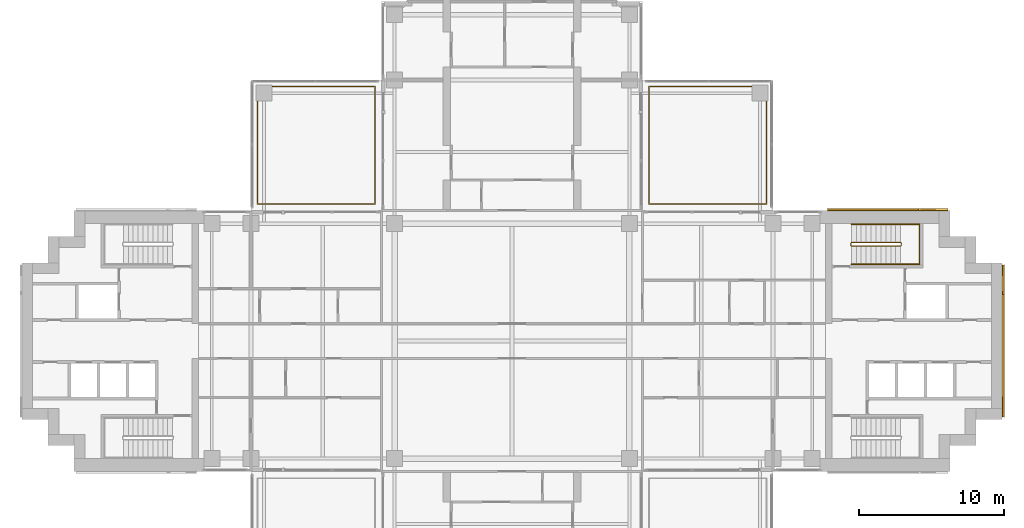
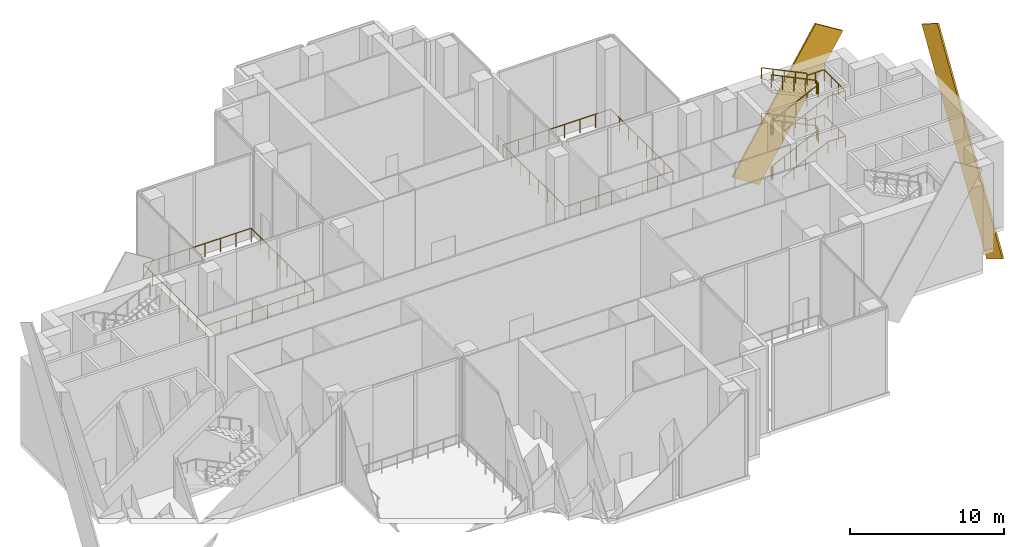
# One storey, part 17 of 17: 5 railings, 2 coverings.
"""IFC4 building model written with IfcOpenShell, lengths in metres."""

from ifc_helpers import new_model, si_unit, direction, frame, origin, origin_2d, place, context, subcontext, project, spatial, rectangle, extrude, material, material_profile, profile_set, type_object, element, save


model = new_model("IFC4")

# Units and contexts
model_context = context("Model", 3, precision=1e-05, world=origin(), true_north=direction((0.0, 1.0)))
body_context = subcontext(model_context, "Body", "Model", "MODEL_VIEW")
ifc_project = project(units=[si_unit("LENGTHUNIT", "METRE"), si_unit("AREAUNIT", "SQUARE_METRE"), si_unit("VOLUMEUNIT", "CUBIC_METRE"), si_unit("PLANEANGLEUNIT", "RADIAN"), si_unit("MASSUNIT", "GRAM", prefix="KILO")], contexts=[model_context])

# Site, building, storey
site_placement = place(None, origin())
site = spatial("IfcSite", under=ifc_project, at=site_placement, CompositionType="ELEMENT")
building_placement = place(site_placement, origin())
building = spatial("IfcBuilding", under=site, at=building_placement, Name="Perihelion Cross Residences", CompositionType="ELEMENT")
storey_placement = place(building_placement, frame((0.0, 0.0, 154.89990234375)))
storey = spatial("IfcBuildingStorey", under=building, at=storey_placement, Name="L38", CompositionType="ELEMENT", Elevation=154.89990234375)

# Railings
ifc_material_1 = material(Name="Bronze anodised aluminium", Category="aluminium")
railing_type_1 = type_object("IfcRailingType", Name="Balcony guard 1100", PredefinedType="GUARDRAIL", material=ifc_material_1)
railing_1_placement = place(storey_placement, frame((17.550048828125, 9.449951171875, 0.0)))
element("IfcRailing", 1, at=railing_1_placement, inside=storey, type_object=railing_type_1, Name="Guard GU1 L38 pocket north-east 1", PredefinedType="GUARDRAIL", context=body_context, shape_type="SweptSolid", body=[
    extrude(rectangle(XDim=0.048095703125, YDim=0.048095703125, at=origin_2d()), frame((0.0, 0.0, 1.076171875), z_axis=(-1.0, 0.0, 0.0), x_axis=(0.0, -1.0, 0.0)), (0.0, 0.0, 1.0), 8.10009765625),
    extrude(rectangle(XDim=0.048095703125, YDim=0.048095703125, at=origin_2d()), frame((-8.10009765625, 0.0, 1.076171875), z_axis=(0.0, 1.0, 0.0), x_axis=(-1.0, 0.0, 0.0)), (0.0, 0.0, 1.0), 8.10009765625),
    extrude(rectangle(XDim=0.048095703125, YDim=0.048095703125, at=origin_2d()), frame((-8.10009765625, 8.10009765625, 1.076171875), z_axis=(1.0, 0.0, 0.0), x_axis=(0.0, 1.0, 0.0)), (0.0, 0.0, 1.0), 8.10009765625),
    extrude(rectangle(XDim=0.048095703125, YDim=0.048095703125, at=origin_2d()), frame((0.0, 8.10009765625, 1.076171875), z_axis=(0.0, -1.0, 0.0), x_axis=(1.0, 0.0, 0.0)), (0.0, 0.0, 1.0), 8.10009765625),
    extrude(rectangle(XDim=0.0419921875, YDim=0.0419921875, at=origin_2d()), origin(), (0.0, 0.0, 1.0), 1.052001953125),
    extrude(rectangle(XDim=0.0419921875, YDim=0.0419921875, at=origin_2d()), frame((-1.1572265625, 0.0, 0.0)), (0.0, 0.0, 1.0), 1.052001953125),
    extrude(rectangle(XDim=0.0419921875, YDim=0.0419921875, at=origin_2d()), frame((-2.314208984375, 0.0, 0.0)), (0.0, 0.0, 1.0), 1.052001953125),
    extrude(rectangle(XDim=0.0419921875, YDim=0.0419921875, at=origin_2d()), frame((-3.471435546875, 0.0, 0.0)), (0.0, 0.0, 1.0), 1.052001953125),
    extrude(rectangle(XDim=0.0419921875, YDim=0.0419921875, at=origin_2d()), frame((-4.628662109375, 0.0, 0.0)), (0.0, 0.0, 1.0), 1.052001953125),
    extrude(rectangle(XDim=0.0419921875, YDim=0.0419921875, at=origin_2d()), frame((-5.785888671875, 0.0, 0.0)), (0.0, 0.0, 1.0), 1.052001953125),
    extrude(rectangle(XDim=0.0419921875, YDim=0.0419921875, at=origin_2d()), frame((-6.94287109375, 0.0, 0.0)), (0.0, 0.0, 1.0), 1.052001953125),
    extrude(rectangle(XDim=0.0419921875, YDim=0.0419921875, at=origin_2d()), frame((-8.10009765625, 0.0, 0.0)), (0.0, 0.0, 1.0), 1.052001953125),
    extrude(rectangle(XDim=0.0419921875, YDim=0.0419921875, at=origin_2d()), frame((-8.10009765625, 1.1572265625, 0.0)), (0.0, 0.0, 1.0), 1.052001953125),
    extrude(rectangle(XDim=0.0419921875, YDim=0.0419921875, at=origin_2d()), frame((-8.10009765625, 2.314208984375, 0.0)), (0.0, 0.0, 1.0), 1.052001953125),
    extrude(rectangle(XDim=0.0419921875, YDim=0.0419921875, at=origin_2d()), frame((-8.10009765625, 3.471435546875, 0.0)), (0.0, 0.0, 1.0), 1.052001953125),
    extrude(rectangle(XDim=0.0419921875, YDim=0.0419921875, at=origin_2d()), frame((-8.10009765625, 4.628662109375, 0.0)), (0.0, 0.0, 1.0), 1.052001953125),
    extrude(rectangle(XDim=0.0419921875, YDim=0.0419921875, at=origin_2d()), frame((-8.10009765625, 5.785888671875, 0.0)), (0.0, 0.0, 1.0), 1.052001953125),
    extrude(rectangle(XDim=0.0419921875, YDim=0.0419921875, at=origin_2d()), frame((-8.10009765625, 6.94287109375, 0.0)), (0.0, 0.0, 1.0), 1.052001953125),
    extrude(rectangle(XDim=0.0419921875, YDim=0.0419921875, at=origin_2d()), frame((-8.10009765625, 8.10009765625, 0.0)), (0.0, 0.0, 1.0), 1.052001953125),
    extrude(rectangle(XDim=0.0419921875, YDim=0.0419921875, at=origin_2d()), frame((-6.94287109375, 8.10009765625, 0.0)), (0.0, 0.0, 1.0), 1.052001953125),
    extrude(rectangle(XDim=0.0419921875, YDim=0.0419921875, at=origin_2d()), frame((-5.785888671875, 8.10009765625, 0.0)), (0.0, 0.0, 1.0), 1.052001953125),
    extrude(rectangle(XDim=0.0419921875, YDim=0.0419921875, at=origin_2d()), frame((-4.628662109375, 8.10009765625, 0.0)), (0.0, 0.0, 1.0), 1.052001953125),
    extrude(rectangle(XDim=0.0419921875, YDim=0.0419921875, at=origin_2d()), frame((-3.471435546875, 8.10009765625, 0.0)), (0.0, 0.0, 1.0), 1.052001953125),
    extrude(rectangle(XDim=0.0419921875, YDim=0.0419921875, at=origin_2d()), frame((-2.314208984375, 8.10009765625, 0.0)), (0.0, 0.0, 1.0), 1.052001953125),
    extrude(rectangle(XDim=0.0419921875, YDim=0.0419921875, at=origin_2d()), frame((-1.1572265625, 8.10009765625, 0.0)), (0.0, 0.0, 1.0), 1.052001953125),
    extrude(rectangle(XDim=0.0419921875, YDim=0.0419921875, at=origin_2d()), frame((0.0, 8.10009765625, 0.0)), (0.0, 0.0, 1.0), 1.052001953125),
    extrude(rectangle(XDim=0.0419921875, YDim=0.0419921875, at=origin_2d()), frame((0.0, 6.94287109375, 0.0)), (0.0, 0.0, 1.0), 1.052001953125),
    extrude(rectangle(XDim=0.0419921875, YDim=0.0419921875, at=origin_2d()), frame((0.0, 5.785888671875, 0.0)), (0.0, 0.0, 1.0), 1.052001953125),
    extrude(rectangle(XDim=0.0419921875, YDim=0.0419921875, at=origin_2d()), frame((0.0, 4.628662109375, 0.0)), (0.0, 0.0, 1.0), 1.052001953125),
    extrude(rectangle(XDim=0.0419921875, YDim=0.0419921875, at=origin_2d()), frame((0.0, 3.471435546875, 0.0)), (0.0, 0.0, 1.0), 1.052001953125),
    extrude(rectangle(XDim=0.0419921875, YDim=0.0419921875, at=origin_2d()), frame((0.0, 2.314208984375, 0.0)), (0.0, 0.0, 1.0), 1.052001953125),
    extrude(rectangle(XDim=0.0419921875, YDim=0.0419921875, at=origin_2d()), frame((0.0, 1.1572265625, 0.0)), (0.0, 0.0, 1.0), 1.052001953125),
])
railing_2_placement = place(storey_placement, frame((-9.449951171875, 9.449951171875, 0.0)))
element("IfcRailing", 2, at=railing_2_placement, inside=storey, type_object=railing_type_1, Name="Guard GU1 L38 pocket north-west 1", PredefinedType="GUARDRAIL", context=body_context, shape_type="SweptSolid", body=[
    extrude(rectangle(XDim=0.048095703125, YDim=0.048095703125, at=origin_2d()), frame((0.0, 0.0, 1.076171875), z_axis=(-1.0, 0.0, 0.0), x_axis=(0.0, -1.0, 0.0)), (0.0, 0.0, 1.0), 8.10009765625),
    extrude(rectangle(XDim=0.048095703125, YDim=0.048095703125, at=origin_2d()), frame((-8.10009765625, 0.0, 1.076171875), z_axis=(0.0, 1.0, 0.0), x_axis=(-1.0, 0.0, 0.0)), (0.0, 0.0, 1.0), 8.10009765625),
    extrude(rectangle(XDim=0.048095703125, YDim=0.048095703125, at=origin_2d()), frame((-8.10009765625, 8.10009765625, 1.076171875), z_axis=(1.0, 0.0, 0.0), x_axis=(0.0, 1.0, 0.0)), (0.0, 0.0, 1.0), 8.10009765625),
    extrude(rectangle(XDim=0.048095703125, YDim=0.048095703125, at=origin_2d()), frame((0.0, 8.10009765625, 1.076171875), z_axis=(0.0, -1.0, 0.0), x_axis=(1.0, 0.0, 0.0)), (0.0, 0.0, 1.0), 8.10009765625),
    extrude(rectangle(XDim=0.0419921875, YDim=0.0419921875, at=origin_2d()), origin(), (0.0, 0.0, 1.0), 1.052001953125),
    extrude(rectangle(XDim=0.0419921875, YDim=0.0419921875, at=origin_2d()), frame((-1.1572265625, 0.0, 0.0)), (0.0, 0.0, 1.0), 1.052001953125),
    extrude(rectangle(XDim=0.0419921875, YDim=0.0419921875, at=origin_2d()), frame((-2.314208984375, 0.0, 0.0)), (0.0, 0.0, 1.0), 1.052001953125),
    extrude(rectangle(XDim=0.0419921875, YDim=0.0419921875, at=origin_2d()), frame((-3.471435546875, 0.0, 0.0)), (0.0, 0.0, 1.0), 1.052001953125),
    extrude(rectangle(XDim=0.0419921875, YDim=0.0419921875, at=origin_2d()), frame((-4.628662109375, 0.0, 0.0)), (0.0, 0.0, 1.0), 1.052001953125),
    extrude(rectangle(XDim=0.0419921875, YDim=0.0419921875, at=origin_2d()), frame((-5.785888671875, 0.0, 0.0)), (0.0, 0.0, 1.0), 1.052001953125),
    extrude(rectangle(XDim=0.0419921875, YDim=0.0419921875, at=origin_2d()), frame((-6.94287109375, 0.0, 0.0)), (0.0, 0.0, 1.0), 1.052001953125),
    extrude(rectangle(XDim=0.0419921875, YDim=0.0419921875, at=origin_2d()), frame((-8.10009765625, 0.0, 0.0)), (0.0, 0.0, 1.0), 1.052001953125),
    extrude(rectangle(XDim=0.0419921875, YDim=0.0419921875, at=origin_2d()), frame((-8.10009765625, 1.1572265625, 0.0)), (0.0, 0.0, 1.0), 1.052001953125),
    extrude(rectangle(XDim=0.0419921875, YDim=0.0419921875, at=origin_2d()), frame((-8.10009765625, 2.314208984375, 0.0)), (0.0, 0.0, 1.0), 1.052001953125),
    extrude(rectangle(XDim=0.0419921875, YDim=0.0419921875, at=origin_2d()), frame((-8.10009765625, 3.471435546875, 0.0)), (0.0, 0.0, 1.0), 1.052001953125),
    extrude(rectangle(XDim=0.0419921875, YDim=0.0419921875, at=origin_2d()), frame((-8.10009765625, 4.628662109375, 0.0)), (0.0, 0.0, 1.0), 1.052001953125),
    extrude(rectangle(XDim=0.0419921875, YDim=0.0419921875, at=origin_2d()), frame((-8.10009765625, 5.785888671875, 0.0)), (0.0, 0.0, 1.0), 1.052001953125),
    extrude(rectangle(XDim=0.0419921875, YDim=0.0419921875, at=origin_2d()), frame((-8.10009765625, 6.94287109375, 0.0)), (0.0, 0.0, 1.0), 1.052001953125),
    extrude(rectangle(XDim=0.0419921875, YDim=0.0419921875, at=origin_2d()), frame((-8.10009765625, 8.10009765625, 0.0)), (0.0, 0.0, 1.0), 1.052001953125),
    extrude(rectangle(XDim=0.0419921875, YDim=0.0419921875, at=origin_2d()), frame((-6.94287109375, 8.10009765625, 0.0)), (0.0, 0.0, 1.0), 1.052001953125),
    extrude(rectangle(XDim=0.0419921875, YDim=0.0419921875, at=origin_2d()), frame((-5.785888671875, 8.10009765625, 0.0)), (0.0, 0.0, 1.0), 1.052001953125),
    extrude(rectangle(XDim=0.0419921875, YDim=0.0419921875, at=origin_2d()), frame((-4.628662109375, 8.10009765625, 0.0)), (0.0, 0.0, 1.0), 1.052001953125),
    extrude(rectangle(XDim=0.0419921875, YDim=0.0419921875, at=origin_2d()), frame((-3.471435546875, 8.10009765625, 0.0)), (0.0, 0.0, 1.0), 1.052001953125),
    extrude(rectangle(XDim=0.0419921875, YDim=0.0419921875, at=origin_2d()), frame((-2.314208984375, 8.10009765625, 0.0)), (0.0, 0.0, 1.0), 1.052001953125),
    extrude(rectangle(XDim=0.0419921875, YDim=0.0419921875, at=origin_2d()), frame((-1.1572265625, 8.10009765625, 0.0)), (0.0, 0.0, 1.0), 1.052001953125),
    extrude(rectangle(XDim=0.0419921875, YDim=0.0419921875, at=origin_2d()), frame((0.0, 8.10009765625, 0.0)), (0.0, 0.0, 1.0), 1.052001953125),
    extrude(rectangle(XDim=0.0419921875, YDim=0.0419921875, at=origin_2d()), frame((0.0, 6.94287109375, 0.0)), (0.0, 0.0, 1.0), 1.052001953125),
    extrude(rectangle(XDim=0.0419921875, YDim=0.0419921875, at=origin_2d()), frame((0.0, 5.785888671875, 0.0)), (0.0, 0.0, 1.0), 1.052001953125),
    extrude(rectangle(XDim=0.0419921875, YDim=0.0419921875, at=origin_2d()), frame((0.0, 4.628662109375, 0.0)), (0.0, 0.0, 1.0), 1.052001953125),
    extrude(rectangle(XDim=0.0419921875, YDim=0.0419921875, at=origin_2d()), frame((0.0, 3.471435546875, 0.0)), (0.0, 0.0, 1.0), 1.052001953125),
    extrude(rectangle(XDim=0.0419921875, YDim=0.0419921875, at=origin_2d()), frame((0.0, 2.314208984375, 0.0)), (0.0, 0.0, 1.0), 1.052001953125),
    extrude(rectangle(XDim=0.0419921875, YDim=0.0419921875, at=origin_2d()), frame((0.0, 1.1572265625, 0.0)), (0.0, 0.0, 1.0), 1.052001953125),
])

# Coverings
ifc_material_2 = material(Name="Bronze anodised aluminium", Category="aluminium")
ifc_material_profile = material_profile(ifc_material_2, rectangle(XDim=0.125, YDim=2.39990234375, at=origin_2d()), Name="Bronze cladding band 2400")
ifc_profile_set = profile_set([ifc_material_profile], Name="Bronze anodised aluminium")
covering_type = type_object("IfcCoveringType", Name="Bronze cladding band 2400", PredefinedType="CLADDING", material=ifc_profile_set)
covering_1_placement = place(storey_placement, frame((22.767578125, 9.0625, -1.288818359375), z_axis=(0.529915403603, 0.0, 0.848050508534), x_axis=(0.0, 1.0, 0.0)))
element("IfcCovering", 3, at=covering_1_placement, inside=storey, type_object=covering_type, Name="Core cladding band, east core", PredefinedType="CLADDING", context=body_context, shape_type="SweptSolid", body=[
    extrude(rectangle(XDim=0.125, YDim=2.39990234375, at=origin_2d()), origin(), (0.0, 0.0, 1.0), 11.822021484375),
])
covering_2_placement = place(storey_placement, frame((33.862548828125, -4.232421875, -3.305419921875), z_axis=(0.0, 0.529924750763, 0.848044667767), x_axis=(-1.0, 0.0, 0.0)))
element("IfcCovering", 4, at=covering_2_placement, inside=storey, type_object=covering_type, Name="Core cladding band, east core", PredefinedType="CLADDING", context=body_context, shape_type="SweptSolid", body=[
    extrude(rectangle(XDim=0.125, YDim=2.39990234375, at=origin_2d()), origin(), (0.0, 0.0, 1.0), 15.9736328125),
])

# Railings
ifc_material_3 = material(Name="Stainless steel", Category="steel")
railing_type_2 = type_object("IfcRailingType", Name="Stair guard 1100", PredefinedType="GUARDRAIL", material=ifc_material_3)
railing_3_placement = place(storey_placement, frame((23.35009765625, 6.75, 0.0)))
element("IfcRailing", 5, at=railing_3_placement, inside=storey, type_object=railing_type_2, Name="L38 ST-E1 stair guard 1", PredefinedType="GUARDRAIL", context=body_context, shape_type="SweptSolid", body=[
    extrude(rectangle(XDim=0.048095703125, YDim=0.048095703125, at=origin_2d()), frame((0.0, 0.0, 1.076171875), z_axis=(0.0, -1.0, 0.0), x_axis=(1.0, 0.0, 0.0)), (0.0, 0.0, 1.0), 0.14990234375),
    extrude(rectangle(XDim=0.048095703125, YDim=0.048095703125, at=origin_2d()), frame((0.0, -0.14990234375, 1.076171875), z_axis=(0.279194930351, -0.280563532951, 0.91833234444), x_axis=(0.708833529934, 0.705375805398, 0.0)), (0.0, 0.0, 1.0), 0.178466796875),
    extrude(rectangle(XDim=0.048095703125, YDim=0.048095703125, at=origin_2d()), frame((0.0498046875, -0.199951171875, 1.23974609375), z_axis=(0.901092505359, 0.0, 0.433626909666), x_axis=(0.0, 1.0, 0.0)), (0.0, 0.0, 1.0), 3.7734375),
    extrude(rectangle(XDim=0.048095703125, YDim=0.048095703125, at=origin_2d()), frame((3.449951171875, -0.199951171875, 2.8759765625), z_axis=(0.707106781187, 0.707106781187, 0.0), x_axis=(-0.707106781187, 0.707106781187, 0.0)), (0.0, 0.0, 1.0), 0.07080078125),
    extrude(rectangle(XDim=0.048095703125, YDim=0.048095703125, at=origin_2d()), frame((3.5, -0.14990234375, 2.8759765625), z_axis=(0.0, 1.0, 0.0), x_axis=(-1.0, 0.0, 0.0)), (0.0, 0.0, 1.0), 0.14990234375),
    extrude(rectangle(XDim=0.048095703125, YDim=0.048095703125, at=origin_2d()), frame((3.5, 0.0, 2.8759765625), z_axis=(-0.280808744504, 0.280808744504, 0.917765164963), x_axis=(-0.707106781187, -0.707106781187, 0.0)), (0.0, 0.0, 1.0), 0.17822265625),
    extrude(rectangle(XDim=0.048095703125, YDim=0.048095703125, at=origin_2d()), frame((3.449951171875, 0.050048828125, 3.03955078125), z_axis=(-0.901067223353, 0.0, 0.433679442675), x_axis=(0.0, -1.0, 0.0)), (0.0, 0.0, 1.0), 3.7734375),
    extrude(rectangle(XDim=0.048095703125, YDim=0.048095703125, at=origin_2d()), frame((0.0498046875, 0.050048828125, 4.67626953125), z_axis=(-0.241699205484, -0.970351222016, 0.0), x_axis=(0.970351222016, -0.241699205484, 0.0)), (0.0, 0.0, 1.0), 0.2060546875),
    extrude(rectangle(XDim=0.048095703125, YDim=0.048095703125, at=origin_2d()), frame((0.0, -0.14990234375, 4.67626953125), z_axis=(0.0, 1.0, 0.0), x_axis=(-1.0, 0.0, 0.0)), (0.0, 0.0, 1.0), 0.14990234375),
    extrude(rectangle(XDim=0.048095703125, YDim=0.048095703125, at=origin_2d()), frame((0.0, 0.0, 4.67626953125), z_axis=(0.189305074214, -0.760004195007, 0.621737253547), x_axis=(0.970351222016, 0.241699205484, 0.0)), (0.0, 0.0, 1.0), 0.26318359375),
    extrude(rectangle(XDim=0.048095703125, YDim=0.048095703125, at=origin_2d()), frame((0.0498046875, -0.199951171875, 4.83984375), z_axis=(0.901067223353, 0.0, 0.433679442675), x_axis=(0.0, 1.0, 0.0)), (0.0, 0.0, 1.0), 3.7734375),
    extrude(rectangle(XDim=0.048095703125, YDim=0.048095703125, at=origin_2d()), frame((3.449951171875, -0.199951171875, 6.47607421875), z_axis=(0.707106781187, 0.707106781187, 0.0), x_axis=(-0.707106781187, 0.707106781187, 0.0)), (0.0, 0.0, 1.0), 0.07080078125),
    extrude(rectangle(XDim=0.048095703125, YDim=0.048095703125, at=origin_2d()), frame((3.5, -0.14990234375, 6.47607421875), z_axis=(0.0, 1.0, 0.0), x_axis=(-1.0, 0.0, 0.0)), (0.0, 0.0, 1.0), 0.14990234375),
    extrude(rectangle(XDim=0.048095703125, YDim=0.048095703125, at=origin_2d()), frame((3.5, 0.0, 6.47607421875), z_axis=(-0.280808744504, 0.280808744504, 0.917765164963), x_axis=(-0.707106781187, -0.707106781187, 0.0)), (0.0, 0.0, 1.0), 0.17822265625),
    extrude(rectangle(XDim=0.048095703125, YDim=0.048095703125, at=origin_2d()), frame((3.449951171875, 0.050048828125, 6.6396484375), z_axis=(-0.901067223353, 0.0, 0.433679442675), x_axis=(0.0, -1.0, 0.0)), (0.0, 0.0, 1.0), 3.7734375),
    extrude(rectangle(XDim=0.0419921875, YDim=0.0419921875, at=origin_2d()), origin(), (0.0, 0.0, 1.0), 1.052001953125),
    extrude(rectangle(XDim=0.0419921875, YDim=0.0419921875, at=origin_2d()), frame((0.0, -0.14990234375, 0.0)), (0.0, 0.0, 1.0), 1.052001953125),
    extrude(rectangle(XDim=0.0419921875, YDim=0.0419921875, at=origin_2d()), frame((0.0498046875, -0.199951171875, 0.163818359375)), (0.0, 0.0, 1.0), 1.052001953125),
    extrude(rectangle(XDim=0.0419921875, YDim=0.0419921875, at=origin_2d()), frame((0.89990234375, -0.199951171875, 0.57275390625)), (0.0, 0.0, 1.0), 1.052001953125),
    extrude(rectangle(XDim=0.0419921875, YDim=0.0419921875, at=origin_2d()), frame((1.75, -0.199951171875, 0.98193359375)), (0.0, 0.0, 1.0), 1.052001953125),
    extrude(rectangle(XDim=0.0419921875, YDim=0.0419921875, at=origin_2d()), frame((2.599853515625, -0.199951171875, 1.39111328125)), (0.0, 0.0, 1.0), 1.052001953125),
    extrude(rectangle(XDim=0.0419921875, YDim=0.0419921875, at=origin_2d()), frame((3.449951171875, -0.199951171875, 1.800048828125)), (0.0, 0.0, 1.0), 1.052001953125),
    extrude(rectangle(XDim=0.0419921875, YDim=0.0419921875, at=origin_2d()), frame((3.5, -0.14990234375, 1.800048828125)), (0.0, 0.0, 1.0), 1.052001953125),
    extrude(rectangle(XDim=0.0419921875, YDim=0.0419921875, at=origin_2d()), frame((3.5, 0.0, 1.800048828125)), (0.0, 0.0, 1.0), 1.052001953125),
    extrude(rectangle(XDim=0.0419921875, YDim=0.0419921875, at=origin_2d()), frame((3.449951171875, 0.050048828125, 1.963623046875)), (0.0, 0.0, 1.0), 1.052001953125),
    extrude(rectangle(XDim=0.0419921875, YDim=0.0419921875, at=origin_2d()), frame((2.599853515625, 0.050048828125, 2.372802734375)), (0.0, 0.0, 1.0), 1.052001953125),
    extrude(rectangle(XDim=0.0419921875, YDim=0.0419921875, at=origin_2d()), frame((1.75, 0.050048828125, 2.78173828125)), (0.0, 0.0, 1.0), 1.052001953125),
    extrude(rectangle(XDim=0.0419921875, YDim=0.0419921875, at=origin_2d()), frame((0.89990234375, 0.050048828125, 3.19091796875)), (0.0, 0.0, 1.0), 1.052001953125),
    extrude(rectangle(XDim=0.0419921875, YDim=0.0419921875, at=origin_2d()), frame((0.0498046875, 0.050048828125, 3.60009765625)), (0.0, 0.0, 1.0), 1.052001953125),
    extrude(rectangle(XDim=0.0419921875, YDim=0.0419921875, at=origin_2d()), frame((0.0, -0.14990234375, 3.60009765625)), (0.0, 0.0, 1.0), 1.052001953125),
    extrude(rectangle(XDim=0.0419921875, YDim=0.0419921875, at=origin_2d()), frame((0.0, 0.0, 3.60009765625)), (0.0, 0.0, 1.0), 1.052001953125),
    extrude(rectangle(XDim=0.0419921875, YDim=0.0419921875, at=origin_2d()), frame((0.0498046875, -0.199951171875, 3.763671875)), (0.0, 0.0, 1.0), 1.052001953125),
    extrude(rectangle(XDim=0.0419921875, YDim=0.0419921875, at=origin_2d()), frame((0.89990234375, -0.199951171875, 4.1728515625)), (0.0, 0.0, 1.0), 1.052001953125),
    extrude(rectangle(XDim=0.0419921875, YDim=0.0419921875, at=origin_2d()), frame((1.75, -0.199951171875, 4.58203125)), (0.0, 0.0, 1.0), 1.052001953125),
    extrude(rectangle(XDim=0.0419921875, YDim=0.0419921875, at=origin_2d()), frame((2.599853515625, -0.199951171875, 4.990966796875)), (0.0, 0.0, 1.0), 1.052001953125),
    extrude(rectangle(XDim=0.0419921875, YDim=0.0419921875, at=origin_2d()), frame((3.449951171875, -0.199951171875, 5.400146484375)), (0.0, 0.0, 1.0), 1.052001953125),
    extrude(rectangle(XDim=0.0419921875, YDim=0.0419921875, at=origin_2d()), frame((3.5, -0.14990234375, 5.400146484375)), (0.0, 0.0, 1.0), 1.052001953125),
    extrude(rectangle(XDim=0.0419921875, YDim=0.0419921875, at=origin_2d()), frame((3.5, 0.0, 5.400146484375)), (0.0, 0.0, 1.0), 1.052001953125),
    extrude(rectangle(XDim=0.0419921875, YDim=0.0419921875, at=origin_2d()), frame((3.449951171875, 0.050048828125, 5.563720703125)), (0.0, 0.0, 1.0), 1.052001953125),
    extrude(rectangle(XDim=0.0419921875, YDim=0.0419921875, at=origin_2d()), frame((2.599853515625, 0.050048828125, 5.972900390625)), (0.0, 0.0, 1.0), 1.052001953125),
    extrude(rectangle(XDim=0.0419921875, YDim=0.0419921875, at=origin_2d()), frame((1.75, 0.050048828125, 6.3818359375)), (0.0, 0.0, 1.0), 1.052001953125),
    extrude(rectangle(XDim=0.0419921875, YDim=0.0419921875, at=origin_2d()), frame((0.89990234375, 0.050048828125, 6.791015625)), (0.0, 0.0, 1.0), 1.052001953125),
    extrude(rectangle(XDim=0.0419921875, YDim=0.0419921875, at=origin_2d()), frame((0.0498046875, 0.050048828125, 7.2001953125)), (0.0, 0.0, 1.0), 1.052001953125),
])
ifc_material_4 = material(Name="Stainless steel", Category="steel")
railing_type_3 = type_object("IfcRailingType", Name="Stair handrail 900", PredefinedType="HANDRAIL", material=ifc_material_4)
railing_4_placement = place(storey_placement, frame((23.39990234375, 5.300048828125, 0.163818359375)))
element("IfcRailing", 6, at=railing_4_placement, inside=storey, type_object=railing_type_3, Name="L38 ST-E1 stair handrail 1", PredefinedType="HANDRAIL", context=body_context, shape_type="SweptSolid", body=[
    extrude(rectangle(XDim=0.048095703125, YDim=0.048095703125, at=origin_2d()), frame((0.0, 0.0, 0.8759765625), z_axis=(0.901092505359, 0.0, 0.433626909666), x_axis=(0.0, 1.0, 0.0)), (0.0, 0.0, 1.0), 3.7734375),
    extrude(rectangle(XDim=0.048095703125, YDim=0.048095703125, at=origin_2d()), frame((3.400146484375, 0.0, 2.51220703125), z_axis=(1.0, 0.0, 0.0), x_axis=(0.0, 1.0, 0.0)), (0.0, 0.0, 1.0), 1.300048828125),
    extrude(rectangle(XDim=0.048095703125, YDim=0.048095703125, at=origin_2d()), frame((4.7001953125, 0.0, 2.51220703125), z_axis=(0.0, 1.0, 0.0), x_axis=(-1.0, 0.0, 0.0)), (0.0, 0.0, 1.0), 2.75),
    extrude(rectangle(XDim=0.048095703125, YDim=0.048095703125, at=origin_2d()), frame((4.7001953125, 2.75, 2.51220703125), z_axis=(-1.0, 0.0, 0.0), x_axis=(0.0, -1.0, 0.0)), (0.0, 0.0, 1.0), 1.300048828125),
    extrude(rectangle(XDim=0.048095703125, YDim=0.048095703125, at=origin_2d()), frame((3.400146484375, 2.75, 2.51220703125), z_axis=(0.0, 0.0, 1.0), x_axis=(1.0, 0.0, 0.0)), (0.0, 0.0, 1.0), 0.16357421875),
    extrude(rectangle(XDim=0.048095703125, YDim=0.048095703125, at=origin_2d()), frame((3.400146484375, 2.75, 2.67578125), z_axis=(-0.901067223353, 0.0, 0.433679442675), x_axis=(0.0, -1.0, 0.0)), (0.0, 0.0, 1.0), 3.7734375),
    extrude(rectangle(XDim=0.0419921875, YDim=0.0419921875, at=origin_2d()), origin(), (0.0, 0.0, 1.0), 0.851806640625),
    extrude(rectangle(XDim=0.0419921875, YDim=0.0419921875, at=origin_2d()), frame((0.85009765625, 0.0, 0.4091796875)), (0.0, 0.0, 1.0), 0.851806640625),
    extrude(rectangle(XDim=0.0419921875, YDim=0.0419921875, at=origin_2d()), frame((1.7001953125, 0.0, 0.818115234375)), (0.0, 0.0, 1.0), 0.851806640625),
    extrude(rectangle(XDim=0.0419921875, YDim=0.0419921875, at=origin_2d()), frame((2.550048828125, 0.0, 1.22705078125)), (0.0, 0.0, 1.0), 0.851806640625),
    extrude(rectangle(XDim=0.0419921875, YDim=0.0419921875, at=origin_2d()), frame((3.400146484375, 0.0, 1.63623046875)), (0.0, 0.0, 1.0), 0.851806640625),
    extrude(rectangle(XDim=0.0419921875, YDim=0.0419921875, at=origin_2d()), frame((4.05029296875, 0.0, 1.63623046875)), (0.0, 0.0, 1.0), 0.851806640625),
    extrude(rectangle(XDim=0.0419921875, YDim=0.0419921875, at=origin_2d()), frame((4.7001953125, 0.0, 1.63623046875)), (0.0, 0.0, 1.0), 0.851806640625),
    extrude(rectangle(XDim=0.0419921875, YDim=0.0419921875, at=origin_2d()), frame((4.7001953125, 0.916748046875, 1.63623046875)), (0.0, 0.0, 1.0), 0.851806640625),
    extrude(rectangle(XDim=0.0419921875, YDim=0.0419921875, at=origin_2d()), frame((4.7001953125, 1.833251953125, 1.63623046875)), (0.0, 0.0, 1.0), 0.851806640625),
    extrude(rectangle(XDim=0.0419921875, YDim=0.0419921875, at=origin_2d()), frame((4.7001953125, 2.75, 1.63623046875)), (0.0, 0.0, 1.0), 0.851806640625),
    extrude(rectangle(XDim=0.0419921875, YDim=0.0419921875, at=origin_2d()), frame((4.05029296875, 2.75, 1.63623046875)), (0.0, 0.0, 1.0), 0.851806640625),
    extrude(rectangle(XDim=0.0419921875, YDim=0.0419921875, at=origin_2d()), frame((3.400146484375, 2.75, 1.63623046875)), (0.0, 0.0, 1.0), 0.851806640625),
    extrude(rectangle(XDim=0.0419921875, YDim=0.0419921875, at=origin_2d()), frame((3.400146484375, 2.75, 1.7998046875)), (0.0, 0.0, 1.0), 0.851806640625),
    extrude(rectangle(XDim=0.0419921875, YDim=0.0419921875, at=origin_2d()), frame((2.550048828125, 2.75, 2.208984375)), (0.0, 0.0, 1.0), 0.851806640625),
    extrude(rectangle(XDim=0.0419921875, YDim=0.0419921875, at=origin_2d()), frame((1.7001953125, 2.75, 2.6181640625)), (0.0, 0.0, 1.0), 0.851806640625),
    extrude(rectangle(XDim=0.0419921875, YDim=0.0419921875, at=origin_2d()), frame((0.85009765625, 2.75, 3.027099609375)), (0.0, 0.0, 1.0), 0.851806640625),
    extrude(rectangle(XDim=0.0419921875, YDim=0.0419921875, at=origin_2d()), frame((0.0, 2.75, 3.436279296875)), (0.0, 0.0, 1.0), 0.851806640625),
])
railing_5_placement = place(storey_placement, frame((23.39990234375, 5.300048828125, 3.763671875)))
element("IfcRailing", 7, at=railing_5_placement, inside=storey, type_object=railing_type_3, Name="L38 ST-E1 stair handrail 2", PredefinedType="HANDRAIL", context=body_context, shape_type="SweptSolid", body=[
    extrude(rectangle(XDim=0.048095703125, YDim=0.048095703125, at=origin_2d()), frame((0.0, 0.0, 0.8759765625), z_axis=(0.901067223353, 0.0, 0.433679442675), x_axis=(0.0, 1.0, 0.0)), (0.0, 0.0, 1.0), 3.7734375),
    extrude(rectangle(XDim=0.048095703125, YDim=0.048095703125, at=origin_2d()), frame((3.400146484375, 0.0, 2.51220703125), z_axis=(1.0, 0.0, 0.0), x_axis=(0.0, 1.0, 0.0)), (0.0, 0.0, 1.0), 1.300048828125),
    extrude(rectangle(XDim=0.048095703125, YDim=0.048095703125, at=origin_2d()), frame((4.7001953125, 0.0, 2.51220703125), z_axis=(0.0, 1.0, 0.0), x_axis=(-1.0, 0.0, 0.0)), (0.0, 0.0, 1.0), 2.75),
    extrude(rectangle(XDim=0.048095703125, YDim=0.048095703125, at=origin_2d()), frame((4.7001953125, 2.75, 2.51220703125), z_axis=(-1.0, 0.0, 0.0), x_axis=(0.0, -1.0, 0.0)), (0.0, 0.0, 1.0), 1.300048828125),
    extrude(rectangle(XDim=0.048095703125, YDim=0.048095703125, at=origin_2d()), frame((3.400146484375, 2.75, 2.51220703125), z_axis=(0.0, 0.0, 1.0), x_axis=(1.0, 0.0, 0.0)), (0.0, 0.0, 1.0), 0.16357421875),
    extrude(rectangle(XDim=0.048095703125, YDim=0.048095703125, at=origin_2d()), frame((3.400146484375, 2.75, 2.67578125), z_axis=(-0.901067223353, 0.0, 0.433679442675), x_axis=(0.0, -1.0, 0.0)), (0.0, 0.0, 1.0), 3.7734375),
    extrude(rectangle(XDim=0.0419921875, YDim=0.0419921875, at=origin_2d()), origin(), (0.0, 0.0, 1.0), 0.851806640625),
    extrude(rectangle(XDim=0.0419921875, YDim=0.0419921875, at=origin_2d()), frame((0.85009765625, 0.0, 0.4091796875)), (0.0, 0.0, 1.0), 0.851806640625),
    extrude(rectangle(XDim=0.0419921875, YDim=0.0419921875, at=origin_2d()), frame((1.7001953125, 0.0, 0.818359375)), (0.0, 0.0, 1.0), 0.851806640625),
    extrude(rectangle(XDim=0.0419921875, YDim=0.0419921875, at=origin_2d()), frame((2.550048828125, 0.0, 1.227294921875)), (0.0, 0.0, 1.0), 0.851806640625),
    extrude(rectangle(XDim=0.0419921875, YDim=0.0419921875, at=origin_2d()), frame((3.400146484375, 0.0, 1.636474609375)), (0.0, 0.0, 1.0), 0.851806640625),
    extrude(rectangle(XDim=0.0419921875, YDim=0.0419921875, at=origin_2d()), frame((4.05029296875, 0.0, 1.636474609375)), (0.0, 0.0, 1.0), 0.851806640625),
    extrude(rectangle(XDim=0.0419921875, YDim=0.0419921875, at=origin_2d()), frame((4.7001953125, 0.0, 1.636474609375)), (0.0, 0.0, 1.0), 0.851806640625),
    extrude(rectangle(XDim=0.0419921875, YDim=0.0419921875, at=origin_2d()), frame((4.7001953125, 0.916748046875, 1.636474609375)), (0.0, 0.0, 1.0), 0.851806640625),
    extrude(rectangle(XDim=0.0419921875, YDim=0.0419921875, at=origin_2d()), frame((4.7001953125, 1.833251953125, 1.636474609375)), (0.0, 0.0, 1.0), 0.851806640625),
    extrude(rectangle(XDim=0.0419921875, YDim=0.0419921875, at=origin_2d()), frame((4.7001953125, 2.75, 1.636474609375)), (0.0, 0.0, 1.0), 0.851806640625),
    extrude(rectangle(XDim=0.0419921875, YDim=0.0419921875, at=origin_2d()), frame((4.05029296875, 2.75, 1.636474609375)), (0.0, 0.0, 1.0), 0.851806640625),
    extrude(rectangle(XDim=0.0419921875, YDim=0.0419921875, at=origin_2d()), frame((3.400146484375, 2.75, 1.636474609375)), (0.0, 0.0, 1.0), 0.851806640625),
    extrude(rectangle(XDim=0.0419921875, YDim=0.0419921875, at=origin_2d()), frame((3.400146484375, 2.75, 1.800048828125)), (0.0, 0.0, 1.0), 0.851806640625),
    extrude(rectangle(XDim=0.0419921875, YDim=0.0419921875, at=origin_2d()), frame((2.550048828125, 2.75, 2.209228515625)), (0.0, 0.0, 1.0), 0.851806640625),
    extrude(rectangle(XDim=0.0419921875, YDim=0.0419921875, at=origin_2d()), frame((1.7001953125, 2.75, 2.6181640625)), (0.0, 0.0, 1.0), 0.851806640625),
    extrude(rectangle(XDim=0.0419921875, YDim=0.0419921875, at=origin_2d()), frame((0.85009765625, 2.75, 3.02734375)), (0.0, 0.0, 1.0), 0.851806640625),
    extrude(rectangle(XDim=0.0419921875, YDim=0.0419921875, at=origin_2d()), frame((0.0, 2.75, 3.4365234375)), (0.0, 0.0, 1.0), 0.851806640625),
])

save(model, "model.ifc")
